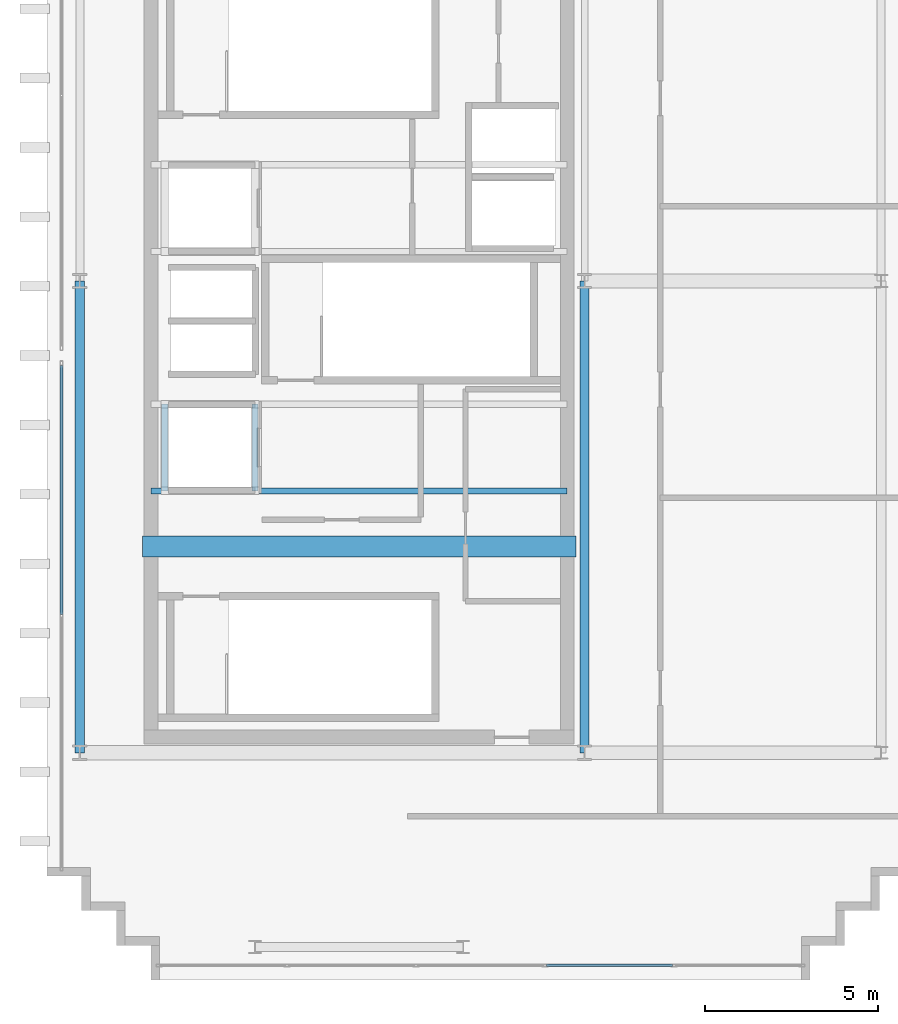
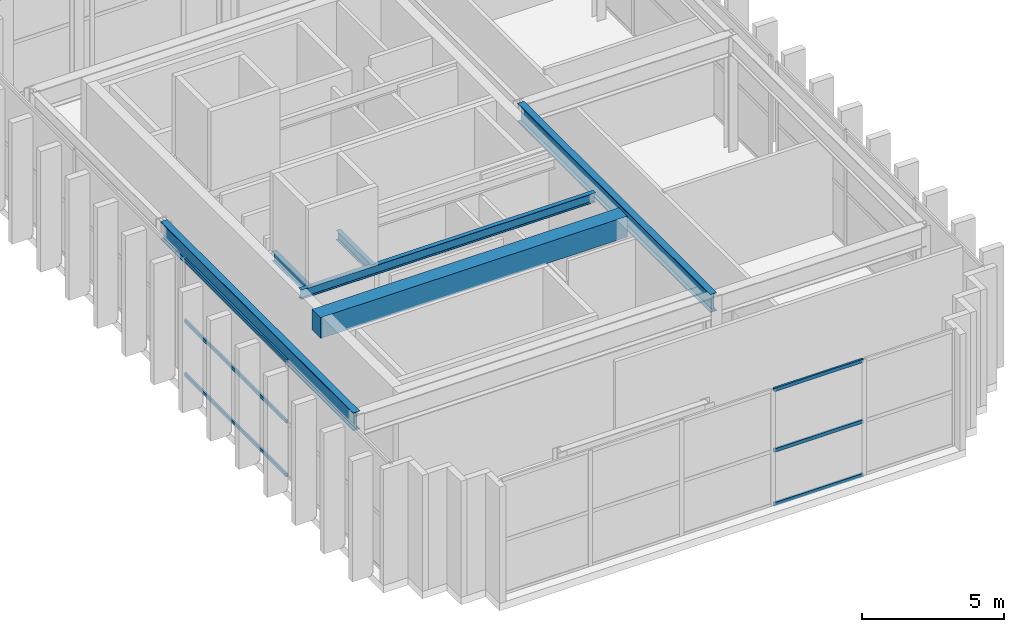
# One storey, part 3 of 14: 6 beams, 6 members, 2 elements without a shape of their own.
"""IFC4 building model written with IfcOpenShell, lengths in metres."""

import ifcopenshell
import ifcopenshell.guid

model = None  # the IFC model being written
_history = None  # IfcOwnerHistory: only IFC2X3 demands one
_inside = {}  # id of a spatial element -> (the spatial element, [elements in it])
_under = {}  # id of a project, library or spatial element -> (it, [spatial elements below it])
_declared = {}  # id of a project -> (the project, [libraries it declares])
_typed = {}  # id of a type object -> (the type object, [elements of that type])
_made_of = {}  # id of a material, layer set ... -> (it, [elements and type objects made of it])


def new_model(schema):
    """Start an empty IFC model of exactly this schema.

    Asked for "IFC4X3", IfcOpenShell would pick the latest addendum, in which some entities
    have other attributes; the version numbers below select the first issue.
    IFC2X3 requires an IfcOwnerHistory on every rooted entity: one is made here for all.
    """
    global model, _history
    if schema == "IFC4X3":
        model = ifcopenshell.file(schema_version=(4, 3, 0, 0))
    else:
        model = ifcopenshell.file(schema=schema)
    _inside.clear()
    _under.clear()
    _declared.clear()
    _typed.clear()
    _made_of.clear()
    _history = None
    if model.schema == "IFC2X3":
        org = make("IfcOrganization", Name="unknown")
        user = make(
            "IfcPersonAndOrganization",
            ThePerson=make("IfcPerson", FamilyName="unknown"),
            TheOrganization=org,
        )
        app = make(
            "IfcApplication",
            ApplicationDeveloper=org,
            Version="unknown",
            ApplicationFullName="unknown",
            ApplicationIdentifier="unknown",
        )
        _history = make(
            "IfcOwnerHistory",
            OwningUser=user,
            OwningApplication=app,
            ChangeAction="ADDED",
            CreationDate=0,
        )
    return model


def make(cls, **values):
    """One entity of the class cls with the attributes given. An attribute that is None is left unset."""
    return model.create_entity(
        cls, **{name: value for name, value in values.items() if value is not None}
    )


def rooted(cls, **values):
    """An entity with a GlobalId (a new one), such as an element, a storey or a relation."""
    return make(cls, GlobalId=ifcopenshell.guid.new(), OwnerHistory=_history, **values)


def si_unit(unit_type, name, prefix=None):
    """IfcSIUnit, for example si_unit("LENGTHUNIT", "METRE", prefix="MILLI")."""
    return make("IfcSIUnit", UnitType=unit_type, Prefix=prefix, Name=name)


def assignment(units):
    """IfcUnitAssignment: the units of a project."""
    return None if units is None else make("IfcUnitAssignment", Units=units)


def point(xyz):
    """IfcCartesianPoint."""
    return None if xyz is None else make("IfcCartesianPoint", Coordinates=xyz)


def direction(xyz):
    """IfcDirection."""
    return None if xyz is None else make("IfcDirection", DirectionRatios=xyz)


def frame(location, z_axis=None, x_axis=None):
    """IfcAxis2Placement3D, a coordinate frame: its origin and axes. An axis left out is left unset."""
    return make(
        "IfcAxis2Placement3D",
        Location=point(location),
        Axis=direction(z_axis),
        RefDirection=direction(x_axis),
    )


def frame_2d(location, x_axis=None):
    """IfcAxis2Placement2D, a coordinate frame in the plane: its origin and x axis."""
    return make(
        "IfcAxis2Placement2D", Location=point(location), RefDirection=direction(x_axis)
    )


def origin():
    """The frame at (0, 0, 0) with its axes left unset."""
    return frame((0.0, 0.0, 0.0))


def origin_2d():
    """The frame at (0, 0) in the plane with its x axis left unset."""
    return frame_2d((0.0, 0.0))


def place(relative_to, where):
    """IfcLocalPlacement: puts the frame where relative to a parent placement (None: the world)."""
    return make(
        "IfcLocalPlacement", PlacementRelTo=relative_to, RelativePlacement=where
    )


def context(
    kind, dimensions, precision=None, world=None, true_north=None, identifier=None
):
    """IfcGeometricRepresentationContext, for example the 3D "Model" context."""
    return make(
        "IfcGeometricRepresentationContext",
        ContextIdentifier=identifier,
        ContextType=kind,
        CoordinateSpaceDimension=dimensions,
        Precision=precision,
        WorldCoordinateSystem=world,
        TrueNorth=true_north,
    )


def subcontext(parent, identifier, kind, view, scale=None):
    """IfcGeometricRepresentationSubContext, for example "Body" below "Model"."""
    return make(
        "IfcGeometricRepresentationSubContext",
        ContextIdentifier=identifier,
        ContextType=kind,
        ParentContext=parent,
        TargetScale=scale,
        TargetView=view,
    )


def project(units=None, contexts=None):
    """IfcProject with its units and contexts."""
    return rooted(
        "IfcProject",
        Name="project",
        RepresentationContexts=contexts,
        UnitsInContext=assignment(units),
    )


def spatial(cls, under=None, at=None, **own):
    """A site, building, storey or space (cls), placed at a placement, below another one or the project."""
    s = rooted(cls, ObjectPlacement=at, **own)
    if under is not None:
        _under.setdefault(under.id(), (under, []))[1].append(s)
    return s


def profile(cls, at=None, kind="AREA", **sizes):
    """A parametric profile (cls). Its sizes go by their IFC names, for example OverallWidth=200.0."""
    return make(cls, ProfileType=kind, Position=at, **sizes)


def rectangle(**sizes):
    """IfcRectangleProfileDef."""
    return profile("IfcRectangleProfileDef", **sizes)


def hollow_rectangle(**sizes):
    """IfcRectangleHollowProfileDef."""
    return profile("IfcRectangleHollowProfileDef", **sizes)


def i_section(**sizes):
    """IfcIShapeProfileDef."""
    return profile("IfcIShapeProfileDef", **sizes)


def extrude(swept, where, along, depth):
    """IfcExtrudedAreaSolid: the profile swept, set in the frame where, extruded along a direction by depth."""
    return make(
        "IfcExtrudedAreaSolid",
        SweptArea=swept,
        Position=where,
        ExtrudedDirection=direction(along),
        Depth=depth,
    )


def shape(context_of_items, identifier, shape_type, items):
    """IfcShapeRepresentation: the items that make up one representation, for example the "Body"."""
    return make(
        "IfcShapeRepresentation",
        ContextOfItems=context_of_items,
        RepresentationIdentifier=identifier,
        RepresentationType=shape_type,
        Items=items,
    )


def source(mapping_origin, context_of_items, identifier, shape_type, items):
    """IfcRepresentationMap: a shape defined once, which mapped items show again and again."""
    return make(
        "IfcRepresentationMap",
        MappingOrigin=mapping_origin,
        MappedRepresentation=shape(context_of_items, identifier, shape_type, items),
    )


def transform(
    local_origin,
    x_axis=None,
    y_axis=None,
    z_axis=None,
    scale=None,
    scale2=None,
    scale3=None,
    uniform=True,
):
    """IfcCartesianTransformationOperator3D, or its non-uniform kind. x_axis, y_axis, z_axis: its Axis1, 2, 3."""
    if uniform:
        return make(
            "IfcCartesianTransformationOperator3D",
            Axis1=direction(x_axis),
            Axis2=direction(y_axis),
            LocalOrigin=point(local_origin),
            Scale=scale,
            Axis3=direction(z_axis),
        )
    return make(
        "IfcCartesianTransformationOperator3DnonUniform",
        Axis1=direction(x_axis),
        Axis2=direction(y_axis),
        LocalOrigin=point(local_origin),
        Scale=scale,
        Axis3=direction(z_axis),
        Scale2=scale2,
        Scale3=scale3,
    )


def mapped(mapping_source, mapping_target):
    """IfcMappedItem: shows the shape of a source again, moved by a transform."""
    return make(
        "IfcMappedItem", MappingSource=mapping_source, MappingTarget=mapping_target
    )


def material(Name=None, Category=None):
    """IfcMaterial."""
    return make("IfcMaterial", Name=Name, Category=Category)


def layer(
    of_material, thickness, ventilated=None, Name=None, Category=None, Priority=None
):
    """IfcMaterialLayer: one layer of a wall or slab, of a material (None: an air gap)."""
    return make(
        "IfcMaterialLayer",
        Material=of_material,
        LayerThickness=thickness,
        IsVentilated=ventilated,
        Name=Name,
        Category=Category,
        Priority=Priority,
    )


def layer_set(layers, Name=None):
    """IfcMaterialLayerSet."""
    return make("IfcMaterialLayerSet", MaterialLayers=layers, LayerSetName=Name)


def material_profile(
    of_material, cross_section, Name=None, Category=None, Priority=None
):
    """IfcMaterialProfile: a cross section and its material."""
    return make(
        "IfcMaterialProfile",
        Name=Name,
        Material=of_material,
        Profile=cross_section,
        Priority=Priority,
        Category=Category,
    )


def profile_set(profiles, Name=None, composite=None):
    """IfcMaterialProfileSet."""
    return make(
        "IfcMaterialProfileSet",
        Name=Name,
        MaterialProfiles=profiles,
        CompositeProfile=composite,
    )


def made_of(thing, what):
    """Note that an element or type object is made of a material, layer set ...; save() writes the relation."""
    if what is not None:
        _made_of.setdefault(what.id(), (what, []))[1].append(thing)
    return thing


def type_object(cls, material=None, **own):
    """A type object (cls), such as IfcWallType, which elements share."""
    return made_of(rooted(cls, **own), material)


def element(
    cls,
    number,
    at=None,
    inside=None,
    cuts=None,
    type_object=None,
    material=None,
    context=None,
    identifier="Body",
    shape_type=None,
    held_by="IfcProductDefinitionShape",
    body=None,
    shapes=None,
    **own,
):
    """One element of the class cls, such as IfcWall. Its Tag is "e" and its number.

    at: its placement. inside: the storey or other place that contains it. cuts: it is an
    opening in that element (IfcRelVoidsElement). A single representation is given by context,
    identifier, shape_type and body (its items); several are given by shapes. held_by: the class
    of the entity that holds the representations. save() writes the other relations.
    """
    e = rooted(cls, Tag="e%d" % number, ObjectPlacement=at, **own)
    if body is not None:
        shapes = [shape(context, identifier, shape_type, body)]
    if shapes is not None:
        e.Representation = make(held_by, Representations=shapes)
    if inside is not None:
        _inside.setdefault(inside.id(), (inside, []))[1].append(e)
    if cuts is not None:
        rooted(
            "IfcRelVoidsElement", RelatingBuildingElement=cuts, RelatedOpeningElement=e
        )
    if type_object is not None:
        _typed.setdefault(type_object.id(), (type_object, []))[1].append(e)
    return made_of(e, material)


def aggregate(whole, parts):
    """IfcRelAggregates: a whole, such as a stair, and the parts it consists of."""
    return rooted("IfcRelAggregates", RelatingObject=whole, RelatedObjects=parts)


def save(model, path):
    """Write the relations noted so far, then the file.

    IfcRelAggregates (storeys below a building ...), IfcRelContainedInSpatialStructure (elements
    in a storey), IfcRelDefinesByType, IfcRelAssociatesMaterial and IfcRelDeclares: one each for
    every whole, place, type object, material and project.
    """
    for whole, parts in _under.values():
        aggregate(whole, parts)
    for where, things in _inside.values():
        rooted(
            "IfcRelContainedInSpatialStructure",
            RelatedElements=things,
            RelatingStructure=where,
        )
    for kind, things in _typed.values():
        rooted("IfcRelDefinesByType", RelatedObjects=things, RelatingType=kind)
    for what, things in _made_of.values():
        rooted("IfcRelAssociatesMaterial", RelatedObjects=things, RelatingMaterial=what)
    for by, libraries in _declared.values():
        rooted("IfcRelDeclares", RelatingContext=by, RelatedDefinitions=libraries)
    model.write(path)


model = new_model("IFC4")

# Units and contexts
model_context = context("Model", 3, precision=1e-05, world=origin(), true_north=direction((0.0, 1.0)))
body_context = subcontext(model_context, "Body", "Model", "MODEL_VIEW")
ifc_project = project(units=[si_unit("LENGTHUNIT", "METRE"), si_unit("AREAUNIT", "SQUARE_METRE"), si_unit("VOLUMEUNIT", "CUBIC_METRE"), si_unit("PLANEANGLEUNIT", "RADIAN"), si_unit("MASSUNIT", "GRAM", prefix="KILO")], contexts=[model_context])

# Site, building, storey
site_placement = place(None, origin())
site = spatial("IfcSite", under=ifc_project, at=site_placement, CompositionType="ELEMENT")
building_placement = place(site_placement, origin())
building = spatial("IfcBuilding", under=site, at=building_placement, Name="Ocotamira Hotel", CompositionType="ELEMENT")
storey_placement = place(building_placement, frame((0.0, 0.0, 309.60009765625)))
storey = spatial("IfcBuildingStorey", under=building, at=storey_placement, Name="L79", CompositionType="ELEMENT", Elevation=309.60009765625)

# Beams
ifc_material_1 = material(Name="Concrete C50/60", Category="concrete")
ifc_material_profile_1 = material_profile(ifc_material_1, rectangle(XDim=0.60009765625, YDim=0.89990234375, at=origin_2d()), Name="RC600X900")
ifc_profile_set_1 = profile_set([ifc_material_profile_1], Name="Concrete C50/60")
beam_type_1 = type_object("IfcBeamType", Name="BM-LINK-RC600", PredefinedType="LINTEL", material=ifc_profile_set_1)
shared_shape_1 = source(origin(), body_context, "Body", "SweptSolid", [
    extrude(rectangle(XDim=0.60009765625, YDim=0.89990234375, at=origin_2d()), origin(), (0.0, 0.0, 1.0), 12.5),
])
beam_1_placement = place(storey_placement, frame((10.75, 20.5, 4.5498046875), z_axis=(1.0, 0.0, 0.0), x_axis=(0.0, 1.0, 0.0)))
element("IfcBeam", 1, at=beam_1_placement, inside=storey, type_object=beam_type_1, Name="L79 West Core Coupling Beam", PredefinedType="LINTEL", context=body_context, shape_type="MappedRepresentation", body=[
    mapped(shared_shape_1, transform((0.0, 0.0, 0.0), scale=1.0)),
])
ifc_material_2 = material(Name="Steel ASTM A992 Grade 50", Category="steel")
ifc_material_profile_2 = material_profile(ifc_material_2, i_section(OverallWidth=0.26611328125, OverallDepth=0.779052734375, WebThickness=0.0166015625, FlangeThickness=0.030029296875, FilletRadius=0.01806640625, at=origin_2d()), Name="W30X148")
ifc_profile_set_2 = profile_set([ifc_material_profile_2], Name="Steel ASTM A992 Grade 50")
beam_type_2 = type_object("IfcBeamType", Name="BM-GIRD-W30X148", PredefinedType="BEAM", material=ifc_profile_set_2)
shared_shape_2 = source(origin(), body_context, "Body", "SweptSolid", [
    extrude(i_section(OverallWidth=0.26611328125, OverallDepth=0.779052734375, WebThickness=0.0166015625, FlangeThickness=0.030029296875, FilletRadius=0.01806640625, at=origin_2d()), origin(), (0.0, 0.0, 1.0), 13.599853515625),
])
for number, where, z_axis, x_axis, name in (
    (2, (8.949951171875, 14.550048828125, 4.6103515625), (0.0, 1.0, 0.0), (-1.0, 0.0, 0.0), "L79 Beam X8.95 Y14.55-28.15"),
    (3, (23.5, 14.550048828125, 4.6103515625), (0.0, 1.0, 0.0), (-1.0, 0.0, 0.0), "L79 Beam X23.5 Y14.55-28.15"),
):
    element("IfcBeam", number, at=place(storey_placement, frame(where, z_axis=z_axis, x_axis=x_axis)), inside=storey, type_object=beam_type_2, Name=name, PredefinedType="BEAM", context=body_context, shape_type="MappedRepresentation", body=[
        mapped(shared_shape_2, transform((0.0, 0.0, 0.0), scale=1.0)),
    ])
ifc_material_profile_3 = material_profile(ifc_material_2, i_section(OverallWidth=0.178955078125, OverallDepth=0.408935546875, WebThickness=0.0087890625, FlangeThickness=0.014404296875, FilletRadius=0.010009765625, at=origin_2d()), Name="W16X45")
ifc_profile_set_3 = profile_set([ifc_material_profile_3], Name="Steel ASTM A992 Grade 50")
beam_type_3 = type_object("IfcBeamType", Name="BM-CURB-W16X45", PredefinedType="BEAM", material=ifc_profile_set_3)
shared_shape_3 = source(origin(), body_context, "Body", "SweptSolid", [
    extrude(i_section(OverallWidth=0.178955078125, OverallDepth=0.408935546875, WebThickness=0.0087890625, FlangeThickness=0.014404296875, FilletRadius=0.010009765625, at=origin_2d()), origin(), (0.0, 0.0, 1.0), 12.0),
])
beam_2_placement = place(storey_placement, frame((11.0, 22.10009765625, 4.79541015625), z_axis=(1.0, 0.0, 0.0), x_axis=(0.0, 1.0, 0.0)))
element("IfcBeam", 4, at=beam_2_placement, inside=storey, type_object=beam_type_3, Name="L79 FSAE Overrun Curb Beam 1", PredefinedType="BEAM", context=body_context, shape_type="MappedRepresentation", body=[
    mapped(shared_shape_3, transform((0.0, 0.0, 0.0), scale=1.0)),
])
shared_shape_4 = source(origin(), body_context, "Body", "SweptSolid", [
    extrude(i_section(OverallWidth=0.178955078125, OverallDepth=0.408935546875, WebThickness=0.0087890625, FlangeThickness=0.014404296875, FilletRadius=0.010009765625, at=origin_2d()), origin(), (0.0, 0.0, 1.0), 2.5),
])
for number, where, z_axis, x_axis, name in (
    (5, (11.39990234375, 22.10009765625, 4.79541015625), (0.0, 1.0, 0.0), (-1.0, 0.0, 0.0), "L79 FSAE 1 Overrun Curb Girder NS 1"),
    (6, (14.0, 22.10009765625, 4.79541015625), (0.0, 1.0, 0.0), (-1.0, 0.0, 0.0), "L79 FSAE 1 Overrun Curb Girder NS 2"),
):
    element("IfcBeam", number, at=place(storey_placement, frame(where, z_axis=z_axis, x_axis=x_axis)), inside=storey, type_object=beam_type_3, Name=name, PredefinedType="BEAM", context=body_context, shape_type="MappedRepresentation", body=[
        mapped(shared_shape_4, transform((0.0, 0.0, 0.0), scale=1.0)),
    ])

# Curtain wall, members
ifc_material_3 = material(Name="Anodised pale-metal aluminium and solar glass", Category="aluminium")
ifc_layer = layer(ifc_material_3, 0.2099609375)
ifc_layer_set = layer_set([ifc_layer], Name="Anodised pale-metal aluminium and solar glass")
curtain_wall_type = type_object("IfcCurtainWallType", Name="CW-SYS7-PEAK", PredefinedType="NOTDEFINED", material=ifc_layer_set)
curtain_wall_1_placement = place(storey_placement, origin())
curtain_wall_1 = element("IfcCurtainWall", 7, at=curtain_wall_1_placement, inside=storey, type_object=curtain_wall_type, Name="L79 Curtain Wall CW-7 CW-L79-W1", PredefinedType="NOTDEFINED")
ifc_material_4 = material(Name="Anodised pale-metal aluminium 6063-T6", Category="aluminium")
ifc_material_profile_4 = material_profile(ifc_material_4, hollow_rectangle(XDim=0.074951171875, YDim=0.14990234375, WallThickness=0.006103515625, at=origin_2d()), Name="HSS150X75X6")
ifc_profile_set_4 = profile_set([ifc_material_profile_4], Name="Anodised pale-metal aluminium 6063-T6")
member_type = type_object("IfcMemberType", Name="CWT-150X75", PredefinedType="USERDEFINED", material=ifc_profile_set_4)
shared_shape_5 = source(origin(), body_context, "Body", "SweptSolid", [
    extrude(hollow_rectangle(XDim=0.074951171875, YDim=0.14990234375, WallThickness=0.006103515625, at=origin_2d()), origin(), (0.0, 0.0, 1.0), 7.179931640625),
])
member_1_placement = place(storey_placement, frame((8.419921875, 18.5400390625, 0.037353515625), z_axis=(0.0, 1.0, 0.0), x_axis=(-1.0, 0.0, 0.0)))
member_1 = element("IfcMember", 8, at=member_1_placement, type_object=member_type, Name="CW-7 transom 2.1", ObjectType="TRANSOM", PredefinedType="USERDEFINED", context=body_context, shape_type="MappedRepresentation", body=[
    mapped(shared_shape_5, transform((0.0, 0.0, 0.0), scale=1.0)),
])
member_2_placement = place(storey_placement, frame((8.419921875, 18.5400390625, 2.349853515625), z_axis=(0.0, 1.0, 0.0), x_axis=(-1.0, 0.0, 0.0)))
member_2 = element("IfcMember", 9, at=member_2_placement, type_object=member_type, Name="CW-7 transom 2.2", ObjectType="TRANSOM", PredefinedType="USERDEFINED", context=body_context, shape_type="MappedRepresentation", body=[
    mapped(shared_shape_5, transform((0.0, 0.0, 0.0), scale=1.0)),
])
member_3_placement = place(storey_placement, frame((8.419921875, 18.5400390625, 4.96240234375), z_axis=(0.0, 1.0, 0.0), x_axis=(-1.0, 0.0, 0.0)))
member_3 = element("IfcMember", 10, at=member_3_placement, type_object=member_type, Name="CW-7 transom 2.3", ObjectType="TRANSOM", PredefinedType="USERDEFINED", context=body_context, shape_type="MappedRepresentation", body=[
    mapped(shared_shape_5, transform((0.0, 0.0, 0.0), scale=1.0)),
])
aggregate(curtain_wall_1, [member_1, member_2, member_3])

curtain_wall_2_placement = place(storey_placement, origin())
curtain_wall_2 = element("IfcCurtainWall", 11, at=curtain_wall_2_placement, inside=storey, type_object=curtain_wall_type, Name="L79 Curtain Wall CW-7 CW-L79-S1", PredefinedType="NOTDEFINED")
shared_shape_6 = source(origin(), body_context, "Body", "SweptSolid", [
    extrude(hollow_rectangle(XDim=0.074951171875, YDim=0.14990234375, WallThickness=0.006103515625, at=origin_2d()), origin(), (0.0, 0.0, 1.0), 3.64013671875),
])
member_4_placement = place(storey_placement, frame((22.39990234375, 8.419921875, 0.037353515625), z_axis=(1.0, 0.0, 0.0), x_axis=(0.0, 1.0, 0.0)))
member_4 = element("IfcMember", 12, at=member_4_placement, type_object=member_type, Name="CW-7 transom 4.1", ObjectType="TRANSOM", PredefinedType="USERDEFINED", context=body_context, shape_type="MappedRepresentation", body=[
    mapped(shared_shape_6, transform((0.0, 0.0, 0.0), scale=1.0)),
])
member_5_placement = place(storey_placement, frame((22.39990234375, 8.419921875, 2.349853515625), z_axis=(1.0, 0.0, 0.0), x_axis=(0.0, 1.0, 0.0)))
member_5 = element("IfcMember", 13, at=member_5_placement, type_object=member_type, Name="CW-7 transom 4.2", ObjectType="TRANSOM", PredefinedType="USERDEFINED", context=body_context, shape_type="MappedRepresentation", body=[
    mapped(shared_shape_6, transform((0.0, 0.0, 0.0), scale=1.0)),
])
member_6_placement = place(storey_placement, frame((22.39990234375, 8.419921875, 4.96240234375), z_axis=(1.0, 0.0, 0.0), x_axis=(0.0, 1.0, 0.0)))
member_6 = element("IfcMember", 14, at=member_6_placement, type_object=member_type, Name="CW-7 transom 4.3", ObjectType="TRANSOM", PredefinedType="USERDEFINED", context=body_context, shape_type="MappedRepresentation", body=[
    mapped(shared_shape_6, transform((0.0, 0.0, 0.0), scale=1.0)),
])
aggregate(curtain_wall_2, [member_4, member_5, member_6])

save(model, "model.ifc")
